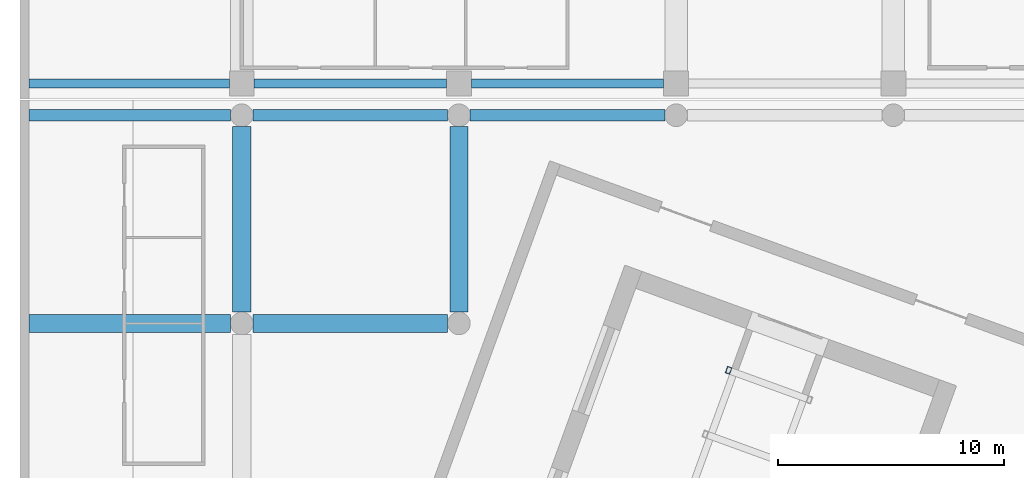
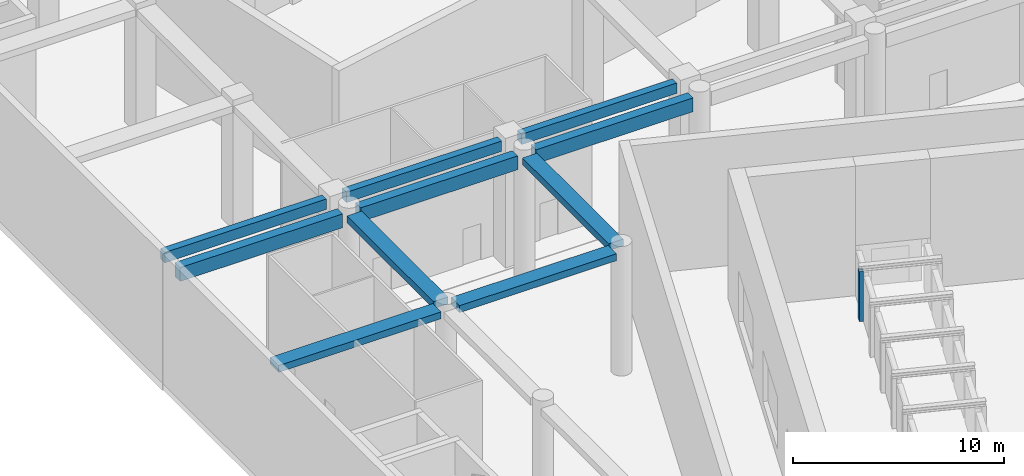
# One storey, part 5 of 36: 10 beams, 1 member.
"""IFC4 building model written with IfcOpenShell, lengths in metres."""

from ifc_helpers import new_model, si_unit, direction, frame, origin, origin_2d, place, context, subcontext, project, spatial, rectangle, hollow_rectangle, extrude, material, material_profile, profile_set, type_object, element, save


model = new_model("IFC4")

# Units and contexts
model_context = context("Model", 3, precision=1e-05, world=origin(), true_north=direction((0.0, 1.0)))
body_context = subcontext(model_context, "Body", "Model", "MODEL_VIEW")
ifc_project = project(units=[si_unit("LENGTHUNIT", "METRE"), si_unit("AREAUNIT", "SQUARE_METRE"), si_unit("VOLUMEUNIT", "CUBIC_METRE"), si_unit("PLANEANGLEUNIT", "RADIAN"), si_unit("MASSUNIT", "GRAM", prefix="KILO")], contexts=[model_context])

# Site, building, storey
site_placement = place(None, origin())
site = spatial("IfcSite", under=ifc_project, at=site_placement, CompositionType="ELEMENT")
building_placement = place(site_placement, origin())
building = spatial("IfcBuilding", under=site, at=building_placement, Name="Nzadi Deep Aquarium and Research Tower", CompositionType="ELEMENT")
storey_placement = place(building_placement, frame((0.0, 0.0, 14.199951171875)))
storey = spatial("IfcBuildingStorey", under=building, at=storey_placement, Name="L02", CompositionType="ELEMENT", Elevation=14.199951171875)

# Beams
ifc_material_1 = material(Name="Concrete C35/45", Category="concrete")
ifc_material_profile_1 = material_profile(ifc_material_1, rectangle(XDim=0.39990234375, YDim=0.60009765625, at=origin_2d()))
ifc_profile_set_1 = profile_set([ifc_material_profile_1], Name="Concrete C35/45")
beam_type_1 = type_object("IfcBeamType", Name="RC 400x600", PredefinedType="BEAM", material=ifc_profile_set_1)
beam_1_placement = place(storey_placement, frame((0.199951171875, 94.800048828125, 6.85009765625), z_axis=(1.0, 0.0, 0.0), x_axis=(0.0, 1.0, 0.0)))
element("IfcBeam", 1, at=beam_1_placement, inside=storey, type_object=beam_type_1, Name="B-Z3-L02-L13-1", PredefinedType="BEAM", context=body_context, shape_type="SweptSolid", body=[
    extrude(rectangle(XDim=0.39990234375, YDim=0.60009765625, at=origin_2d()), origin(), (0.0, 0.0, 1.0), 8.85009765625),
])
for number, where, z_axis, x_axis, name in (
    (2, (10.14990234375, 94.800048828125, 6.85009765625), (1.0, 0.0, 0.0), (0.0, 1.0, 0.0), "B-Z3-L02-L13-2"),
    (3, (19.75, 94.800048828125, 6.85009765625), (1.0, 0.0, 0.0), (0.0, 1.0, 0.0), "B-Z3-L02-L13-3"),
):
    element("IfcBeam", number, at=place(storey_placement, frame(where, z_axis=z_axis, x_axis=x_axis)), inside=storey, type_object=beam_type_1, Name=name, PredefinedType="BEAM", context=body_context, shape_type="SweptSolid", body=[
        extrude(rectangle(XDim=0.39990234375, YDim=0.60009765625, at=origin_2d()), origin(), (0.0, 0.0, 1.0), 8.5),
    ])
ifc_material_2 = material(Name="Concrete C40/50", Category="concrete")
ifc_material_profile_2 = material_profile(ifc_material_2, rectangle(XDim=0.5, YDim=0.800048828125, at=origin_2d()))
ifc_profile_set_2 = profile_set([ifc_material_profile_2], Name="Concrete C40/50")
beam_type_2 = type_object("IfcBeamType", Name="RC 500x800", PredefinedType="BEAM", material=ifc_profile_set_2)
beam_2_placement = place(storey_placement, frame((0.199951171875, 93.39990234375, 6.75), z_axis=(1.0, 0.0, 0.0), x_axis=(0.0, 1.0, 0.0)))
element("IfcBeam", 4, at=beam_2_placement, inside=storey, type_object=beam_type_2, Name="B-Z2-L02-L12-1", PredefinedType="BEAM", context=body_context, shape_type="SweptSolid", body=[
    extrude(rectangle(XDim=0.5, YDim=0.800048828125, at=origin_2d()), origin(), (0.0, 0.0, 1.0), 8.900146484375),
])
beam_3_placement = place(storey_placement, frame((10.10009765625, 93.39990234375, 6.75), z_axis=(1.0, 0.0, 0.0), x_axis=(0.0, 1.0, 0.0)))
element("IfcBeam", 5, at=beam_3_placement, inside=storey, type_object=beam_type_2, Name="B-Z2-L02-L12-2", PredefinedType="BEAM", context=body_context, shape_type="SweptSolid", body=[
    extrude(rectangle(XDim=0.5, YDim=0.800048828125, at=origin_2d()), origin(), (0.0, 0.0, 1.0), 8.599853515625),
])
beam_4_placement = place(storey_placement, frame((19.699951171875, 93.39990234375, 6.75), z_axis=(1.0, 0.0, 0.0), x_axis=(0.0, 1.0, 0.0)))
element("IfcBeam", 6, at=beam_4_placement, inside=storey, type_object=beam_type_2, Name="B-Z2-L02-L12-3", PredefinedType="BEAM", context=body_context, shape_type="SweptSolid", body=[
    extrude(rectangle(XDim=0.5, YDim=0.800048828125, at=origin_2d()), origin(), (0.0, 0.0, 1.0), 8.60009765625),
])
ifc_material_3 = material(Name="Concrete C35/45", Category="concrete")
ifc_material_profile_3 = material_profile(ifc_material_3, rectangle(XDim=0.800048828125, YDim=0.39990234375, at=origin_2d()))
ifc_profile_set_3 = profile_set([ifc_material_profile_3], Name="Concrete C35/45")
beam_type_3 = type_object("IfcBeamType", Name="RC 800x400", PredefinedType="BEAM", material=ifc_profile_set_3)
beam_5_placement = place(storey_placement, frame((0.199951171875, 84.199951171875, 6.949951171875), z_axis=(1.0, 0.0, 0.0), x_axis=(0.0, 1.0, 0.0)))
element("IfcBeam", 7, at=beam_5_placement, inside=storey, type_object=beam_type_3, Name="B-Z2-L02-L11-1", PredefinedType="BEAM", context=body_context, shape_type="SweptSolid", body=[
    extrude(rectangle(XDim=0.800048828125, YDim=0.39990234375, at=origin_2d()), origin(), (0.0, 0.0, 1.0), 8.900146484375),
])
beam_6_placement = place(storey_placement, frame((10.10009765625, 84.199951171875, 6.949951171875), z_axis=(1.0, 0.0, 0.0), x_axis=(0.0, 1.0, 0.0)))
element("IfcBeam", 8, at=beam_6_placement, inside=storey, type_object=beam_type_3, Name="B-Z2-L02-L11-2", PredefinedType="BEAM", context=body_context, shape_type="SweptSolid", body=[
    extrude(rectangle(XDim=0.800048828125, YDim=0.39990234375, at=origin_2d()), origin(), (0.0, 0.0, 1.0), 8.599853515625),
])
for number, where, z_axis, x_axis, name in (
    (9, (9.60009765625, 84.699951171875, 6.949951171875), (0.0, 1.0, 0.0), (-1.0, 0.0, 0.0), "B-Z2-L02-CB-5-7"),
    (10, (19.199951171875, 84.699951171875, 6.949951171875), (0.0, 1.0, 0.0), (-1.0, 0.0, 0.0), "B-Z2-L02-CC-5-7"),
):
    element("IfcBeam", number, at=place(storey_placement, frame(where, z_axis=z_axis, x_axis=x_axis)), inside=storey, type_object=beam_type_3, Name=name, PredefinedType="BEAM", context=body_context, shape_type="SweptSolid", body=[
        extrude(rectangle(XDim=0.800048828125, YDim=0.39990234375, at=origin_2d()), origin(), (0.0, 0.0, 1.0), 8.199951171875),
    ])

# Member
ifc_material_4 = material(Name="Steel S355", Category="steel")
ifc_material_profile_4 = material_profile(ifc_material_4, hollow_rectangle(XDim=0.199951171875, YDim=0.300048828125, WallThickness=0.011962890625, at=origin_2d()))
ifc_profile_set_4 = profile_set([ifc_material_profile_4], Name="Steel S355")
member_type = type_object("IfcMemberType", Name="RHS 300x200x12", PredefinedType="POST", material=ifc_profile_set_4)
member_placement = place(storey_placement, frame((31.118896484375, 82.126220703125, 0.0), z_axis=(0.0, 0.0, 1.0), x_axis=(0.939692620786, -0.342020143326, 0.0)))
element("IfcMember", 11, at=member_placement, inside=storey, type_object=member_type, Name="MB-TUN-R9-PW", PredefinedType="POST", context=body_context, shape_type="SweptSolid", body=[
    extrude(hollow_rectangle(XDim=0.199951171875, YDim=0.300048828125, WallThickness=0.011962890625, at=origin_2d()), origin(), (0.0, 0.0, 1.0), 2.900146484375),
])

save(model, "model.ifc")
